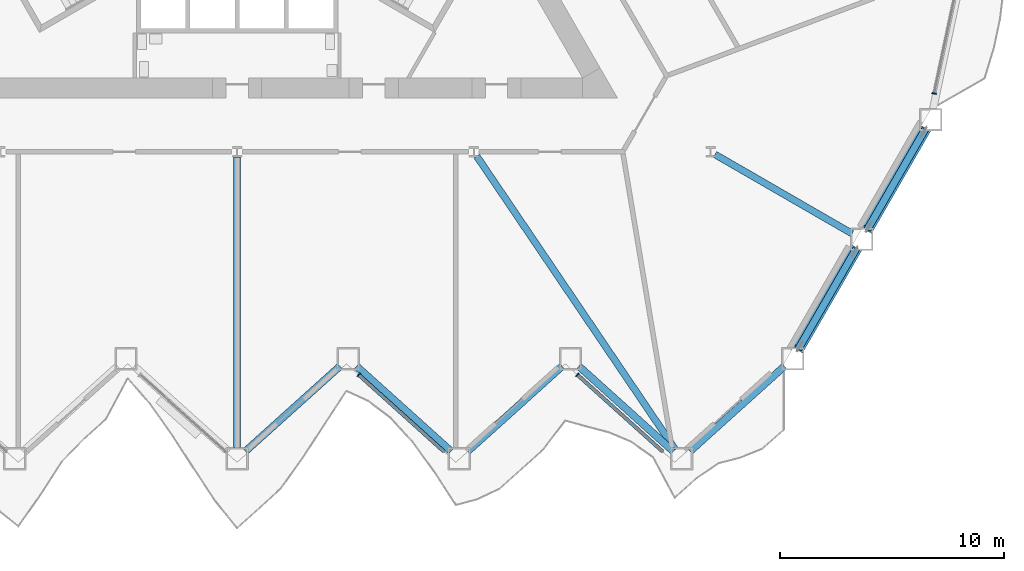
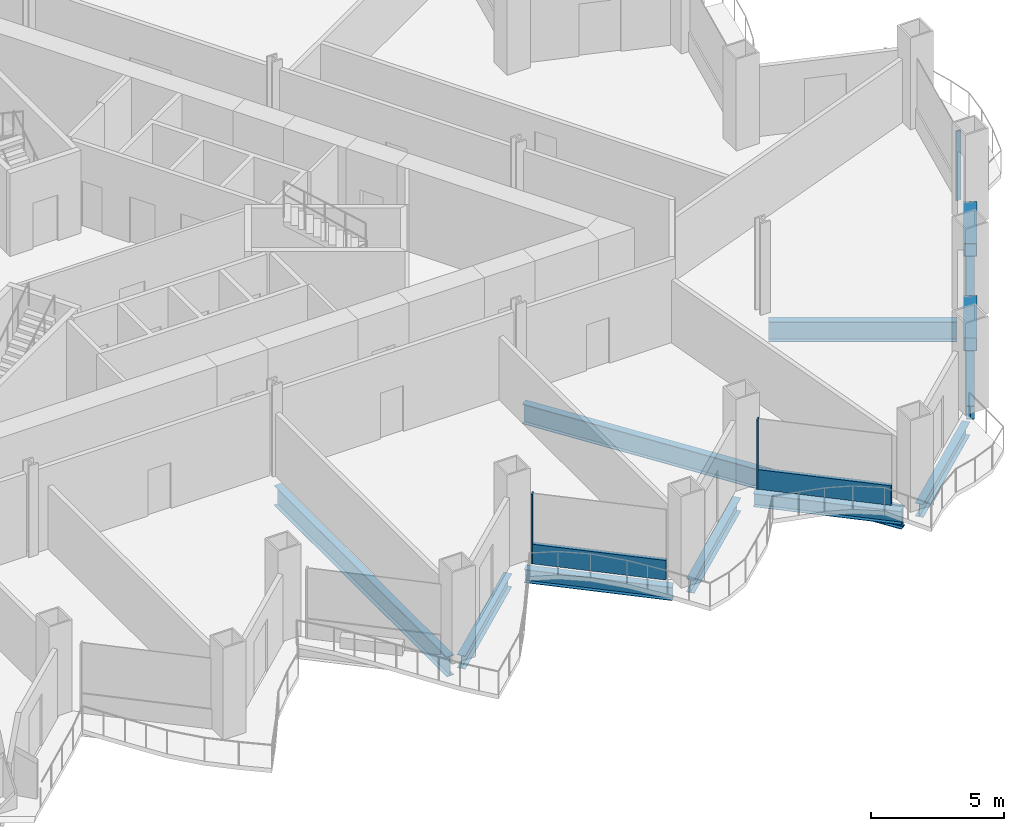
# One storey, part 4 of 20: 10 beams, 7 members, 3 elements without a shape of their own.
"""IFC4 building model written with IfcOpenShell, lengths in metres."""

from ifc_helpers import new_model, si_unit, direction, frame, origin, origin_2d, place, context, subcontext, project, spatial, rectangle, hollow_rectangle, i_section, extrude, material, layer, layer_set, material_profile, profile_set, type_object, element, aggregate, save


model = new_model("IFC4")

# Units and contexts
model_context = context("Model", 3, precision=1e-05, world=origin(), true_north=direction((0.0, 1.0)))
body_context = subcontext(model_context, "Body", "Model", "MODEL_VIEW")
ifc_project = project(units=[si_unit("LENGTHUNIT", "METRE"), si_unit("AREAUNIT", "SQUARE_METRE"), si_unit("VOLUMEUNIT", "CUBIC_METRE"), si_unit("PLANEANGLEUNIT", "RADIAN"), si_unit("MASSUNIT", "GRAM", prefix="KILO")], contexts=[model_context])

# Site, building, storey
site_placement = place(None, origin())
site = spatial("IfcSite", under=ifc_project, at=site_placement, CompositionType="ELEMENT")
building_placement = place(site_placement, origin())
building = spatial("IfcBuilding", under=site, at=building_placement, Name="Cormorant Prow Tower", CompositionType="ELEMENT")
storey_placement = place(building_placement, frame((0.0, 0.0, 63.60009765625)))
storey = spatial("IfcBuildingStorey", under=building, at=storey_placement, Name="L13", CompositionType="ELEMENT", Elevation=63.60009765625)

# Members
ifc_material_1 = material(Name="Structural steel ASTM A500 Gr C", Category="steel")
ifc_material_profile_1 = material_profile(ifc_material_1, hollow_rectangle(XDim=0.508056640625, YDim=0.508056640625, WallThickness=0.014892578125, at=origin_2d()), Name="HSS20x20x5/8")
ifc_profile_set_1 = profile_set([ifc_material_profile_1], Name="Structural steel ASTM A500 Gr C")
member_type_1 = type_object("IfcMemberType", Name="Chamfer brace HSS20x20x5/8", PredefinedType="BRACE", material=ifc_profile_set_1)
member_1_placement = place(storey_placement, frame((27.65576171875, -16.566162109375, 0.76708984375), z_axis=(-0.47589308504, -0.824244468952, 0.306833549359), x_axis=(0.866018434186, -0.500012071504, 0.0)))
element("IfcMember", 1, at=member_1_placement, inside=storey, type_object=member_type_1, Name="Chamfer brace BR1 at ESE00 L13", PredefinedType="BRACE", context=body_context, shape_type="SweptSolid", body=[
    extrude(hollow_rectangle(XDim=0.508056640625, YDim=0.508056640625, WallThickness=0.014892578125, at=origin_2d()), origin(), (0.0, 0.0, 1.0), 5.392333984375),
])
member_2_placement = place(storey_placement, frame((30.74072265625, -11.222900390625, 0.76708984375), z_axis=(-0.475875326044, -0.824258984489, 0.306822099191), x_axis=(0.866030326616, -0.499991473309, 0.0)))
element("IfcMember", 2, at=member_2_placement, inside=storey, type_object=member_type_1, Name="Chamfer brace BR1 at ESE01 L13", PredefinedType="BRACE", context=body_context, shape_type="SweptSolid", body=[
    extrude(hollow_rectangle(XDim=0.508056640625, YDim=0.508056640625, WallThickness=0.014892578125, at=origin_2d()), origin(), (0.0, 0.0, 1.0), 5.392578125),
])

# Curtain wall, member
ifc_material_2 = material(Name="Aluminium 6063-T6", Category="aluminium")
ifc_layer = layer(ifc_material_2, 0.199951171875)
ifc_layer_set = layer_set([ifc_layer], Name="Aluminium 6063-T6")
curtain_wall_type = type_object("IfcCurtainWallType", Name="Office unitised curtain wall 200", PredefinedType="NOTDEFINED", material=ifc_layer_set)
curtain_wall_1_placement = place(storey_placement, origin())
curtain_wall_1 = element("IfcCurtainWall", 3, at=curtain_wall_1_placement, inside=storey, type_object=curtain_wall_type, Name="Office curtain wall S06", PredefinedType="NOTDEFINED")
ifc_material_3 = material(Name="Aluminium 6063-T6", Category="aluminium")
ifc_material_profile_2 = material_profile(ifc_material_3, rectangle(XDim=0.199951171875, YDim=0.06005859375, at=origin_2d()), Name="Office mullion 60x200")
ifc_profile_set_2 = profile_set([ifc_material_profile_2], Name="Aluminium 6063-T6")
member_type_2 = type_object("IfcMemberType", Name="Office mullion 60x200", PredefinedType="MULLION", material=ifc_profile_set_2)
member_3_placement = place(storey_placement, frame((5.4326171875, -22.176513671875, 0.0), z_axis=(0.0, 0.0, 1.0), x_axis=(0.669130625166, 0.743144808544, 0.0)))
member_3 = element("IfcMember", 4, at=member_3_placement, type_object=member_type_2, Name="Office mullion S06", PredefinedType="MULLION", context=body_context, shape_type="SweptSolid", body=[
    extrude(rectangle(XDim=0.199951171875, YDim=0.06005859375, at=origin_2d()), origin(), (0.0, 0.0, 1.0), 3.188720703125),
])

curtain_wall_2_placement = place(storey_placement, origin())
curtain_wall_2 = element("IfcCurtainWall", 5, at=curtain_wall_2_placement, inside=storey, type_object=curtain_wall_type, Name="Office curtain wall S08", PredefinedType="NOTDEFINED")
member_4_placement = place(storey_placement, frame((15.2080078125, -22.176513671875, 0.0), z_axis=(0.0, 0.0, 1.0), x_axis=(0.669130625166, 0.743144808544, 0.0)))
member_4 = element("IfcMember", 6, at=member_4_placement, type_object=member_type_2, Name="Office mullion S08", PredefinedType="MULLION", context=body_context, shape_type="SweptSolid", body=[
    extrude(rectangle(XDim=0.199951171875, YDim=0.06005859375, at=origin_2d()), origin(), (0.0, 0.0, 1.0), 3.188720703125),
])

curtain_wall_3_placement = place(storey_placement, origin())
curtain_wall_3 = element("IfcCurtainWall", 7, at=curtain_wall_3_placement, inside=storey, type_object=curtain_wall_type, Name="Office curtain wall ENE00", PredefinedType="NOTDEFINED")
member_5_placement = place(storey_placement, frame((31.15234375, -9.604736328125, 0.0), z_axis=(0.0, 0.0, 1.0), x_axis=(-0.978147607222, 0.207911660293, 0.0)))
member_5 = element("IfcMember", 8, at=member_5_placement, type_object=member_type_2, Name="Office mullion ENE00", PredefinedType="MULLION", context=body_context, shape_type="SweptSolid", body=[
    extrude(rectangle(XDim=0.199951171875, YDim=0.06005859375, at=origin_2d()), origin(), (0.0, 0.0, 1.0), 3.188720703125),
])
aggregate(curtain_wall_3, [member_5])

# Member
ifc_material_4 = material(Name="Terracotta", Category="masonry")
ifc_material_profile_3 = material_profile(ifc_material_4, rectangle(XDim=0.159912109375, YDim=0.89990234375, at=origin_2d()), Name="Office terracotta spandrel rail 160x900")
ifc_profile_set_3 = profile_set([ifc_material_profile_3], Name="Terracotta")
member_type_3 = type_object("IfcMemberType", Name="Office terracotta spandrel rail 160x900", PredefinedType="USERDEFINED", material=ifc_profile_set_3)
member_6_placement = place(storey_placement, frame((5.454833984375, -22.196533203125, 0.449951171875), z_axis=(0.743156371999, -0.669117782425, 0.0), x_axis=(0.669117782425, 0.743156371999, 0.0)))
member_6 = element("IfcMember", 9, at=member_6_placement, type_object=member_type_3, Name="Office spandrel rail S06", ObjectType="TRANSOM", PredefinedType="USERDEFINED", context=body_context, shape_type="SweptSolid", body=[
    extrude(rectangle(XDim=0.159912109375, YDim=0.89990234375, at=origin_2d()), origin(), (0.0, 0.0, 1.0), 5.111083984375),
])

aggregate(curtain_wall_1, [member_3, member_6])

member_7_placement = place(storey_placement, frame((15.230224609375, -22.196533203125, 0.449951171875), z_axis=(0.743156371999, -0.669117782425, 0.0), x_axis=(0.669117782425, 0.743156371999, 0.0)))
member_7 = element("IfcMember", 10, at=member_7_placement, type_object=member_type_3, Name="Office spandrel rail S08", ObjectType="TRANSOM", PredefinedType="USERDEFINED", context=body_context, shape_type="SweptSolid", body=[
    extrude(rectangle(XDim=0.159912109375, YDim=0.89990234375, at=origin_2d()), origin(), (0.0, 0.0, 1.0), 5.111083984375),
])

aggregate(curtain_wall_2, [member_4, member_7])

# Beams
ifc_material_5 = material(Name="Structural steel ASTM A992 Gr 50", Category="steel")
ifc_material_profile_4 = material_profile(ifc_material_5, i_section(OverallWidth=0.3046875, OverallDepth=0.914794921875, WebThickness=0.0166015625, FlangeThickness=0.02587890625, at=origin_2d()), Name="W36x160")
ifc_profile_set_4 = profile_set([ifc_material_profile_4], Name="Structural steel ASTM A992 Gr 50")
beam_type_1 = type_object("IfcBeamType", Name="Radial floor beam W36x160", PredefinedType="BEAM", material=ifc_profile_set_4)
beam_1_placement = place(storey_placement, frame((0.0, -12.447265625, -0.857421875), z_axis=(0.0, -1.0, 0.0), x_axis=(1.0, 0.0, 0.0)))
element("IfcBeam", 11, at=beam_1_placement, inside=storey, type_object=beam_type_1, Name="Radial floor beam FB1 7 L13", PredefinedType="BEAM", context=body_context, shape_type="SweptSolid", body=[
    extrude(i_section(OverallWidth=0.3046875, OverallDepth=0.914794921875, WebThickness=0.0166015625, FlangeThickness=0.02587890625, at=origin_2d()), origin(), (0.0, 0.0, 1.0), 12.984130859375),
])
beam_2_placement = place(storey_placement, frame((10.708740234375, -12.4072265625, -0.857421875), z_axis=(0.560597160775, -0.828088656685, 0.0), x_axis=(0.828088656685, 0.560597160775, 0.0)))
element("IfcBeam", 12, at=beam_2_placement, inside=storey, type_object=beam_type_1, Name="Radial floor beam FB1 8 L13", PredefinedType="BEAM", context=body_context, shape_type="SweptSolid", body=[
    extrude(i_section(OverallWidth=0.3046875, OverallDepth=0.914794921875, WebThickness=0.0166015625, FlangeThickness=0.02587890625, at=origin_2d()), origin(), (0.0, 0.0, 1.0), 15.831787109375),
])
beam_3_placement = place(storey_placement, frame((21.358154296875, -12.3310546875, -0.857421875), z_axis=(0.866014253463, -0.500019312426, 0.0), x_axis=(0.500019312426, 0.866014253463, 0.0)))
element("IfcBeam", 13, at=beam_3_placement, inside=storey, type_object=beam_type_1, Name="Radial floor beam FB1 9 L13", PredefinedType="BEAM", context=body_context, shape_type="SweptSolid", body=[
    extrude(i_section(OverallWidth=0.3046875, OverallDepth=0.914794921875, WebThickness=0.0166015625, FlangeThickness=0.02587890625, at=origin_2d()), origin(), (0.0, 0.0, 1.0), 7.071533203125),
])
ifc_material_6 = material(Name="Structural steel ASTM A992 Gr 50", Category="steel")
ifc_material_profile_5 = material_profile(ifc_material_6, i_section(OverallWidth=0.32373046875, OverallDepth=0.611083984375, WebThickness=0.0126953125, FlangeThickness=0.01904296875, at=origin_2d()), Name="W24x104")
ifc_profile_set_5 = profile_set([ifc_material_profile_5], Name="Structural steel ASTM A992 Gr 50")
beam_type_2 = type_object("IfcBeamType", Name="Spandrel beam W24x104", PredefinedType="SPANDREL", material=ifc_profile_set_5)
for number, where, z_axis, x_axis, name in (
    (14, (0.37158203125, -25.596923828125, -0.70556640625), (0.743129630386, 0.669147481833, 0.0), (-0.669147481833, 0.743129630386, 0.0), "Spandrel beam SB1 S05-S06 L13"),
    (15, (5.337646484375, -21.79443359375, -0.70556640625), (0.743129630386, -0.669147481833, 0.0), (0.669147481833, 0.743129630386, 0.0), "Spandrel beam SB1 S06-S07 L13"),
    (16, (10.3037109375, -25.596923828125, -0.70556640625), (0.743129630386, 0.669147481833, 0.0), (-0.669147481833, 0.743129630386, 0.0), "Spandrel beam SB1 S07-S08 L13"),
    (17, (15.269775390625, -21.79443359375, -0.70556640625), (0.743129630386, -0.669147481833, 0.0), (0.669147481833, 0.743129630386, 0.0), "Spandrel beam SB1 S08-S09 L13"),
    (18, (20.23583984375, -25.596923828125, -0.70556640625), (0.743129630386, 0.669147481833, 0.0), (-0.669147481833, 0.743129630386, 0.0), "Spandrel beam SB1 S09-ESE00 L13"),
):
    element("IfcBeam", number, at=place(storey_placement, frame(where, z_axis=z_axis, x_axis=x_axis)), inside=storey, type_object=beam_type_2, Name=name, PredefinedType="SPANDREL", context=body_context, shape_type="SweptSolid", body=[
        extrude(i_section(OverallWidth=0.32373046875, OverallDepth=0.611083984375, WebThickness=0.0126953125, FlangeThickness=0.01904296875, at=origin_2d()), origin(), (0.0, 0.0, 1.0), 5.6826171875),
    ])
for number, where, z_axis, x_axis, name in (
    (19, (25.080322265625, -21.02685546875, -0.70556640625), (0.500019507279, 0.866014140959, 0.0), (-0.866014140959, 0.500019507279, 0.0), "Spandrel beam SB1 ESE00-ESE01 L13"),
    (20, (28.165283203125, -15.683837890625, -0.70556640625), (0.49998408811, 0.866034590324, 0.0), (-0.866034590324, 0.49998408811, 0.0), "Spandrel beam SB1 ESE01-ENE00 L13"),
):
    element("IfcBeam", number, at=place(storey_placement, frame(where, z_axis=z_axis, x_axis=x_axis)), inside=storey, type_object=beam_type_2, Name=name, PredefinedType="SPANDREL", context=body_context, shape_type="SweptSolid", body=[
        extrude(i_section(OverallWidth=0.32373046875, OverallDepth=0.611083984375, WebThickness=0.0126953125, FlangeThickness=0.01904296875, at=origin_2d()), origin(), (0.0, 0.0, 1.0), 5.169677734375),
    ])

save(model, "model.ifc")
